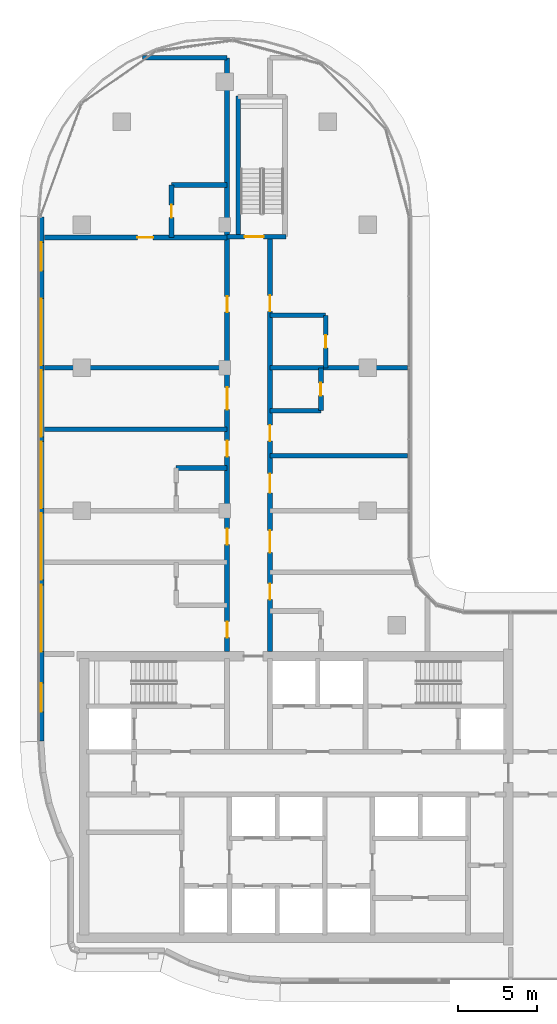
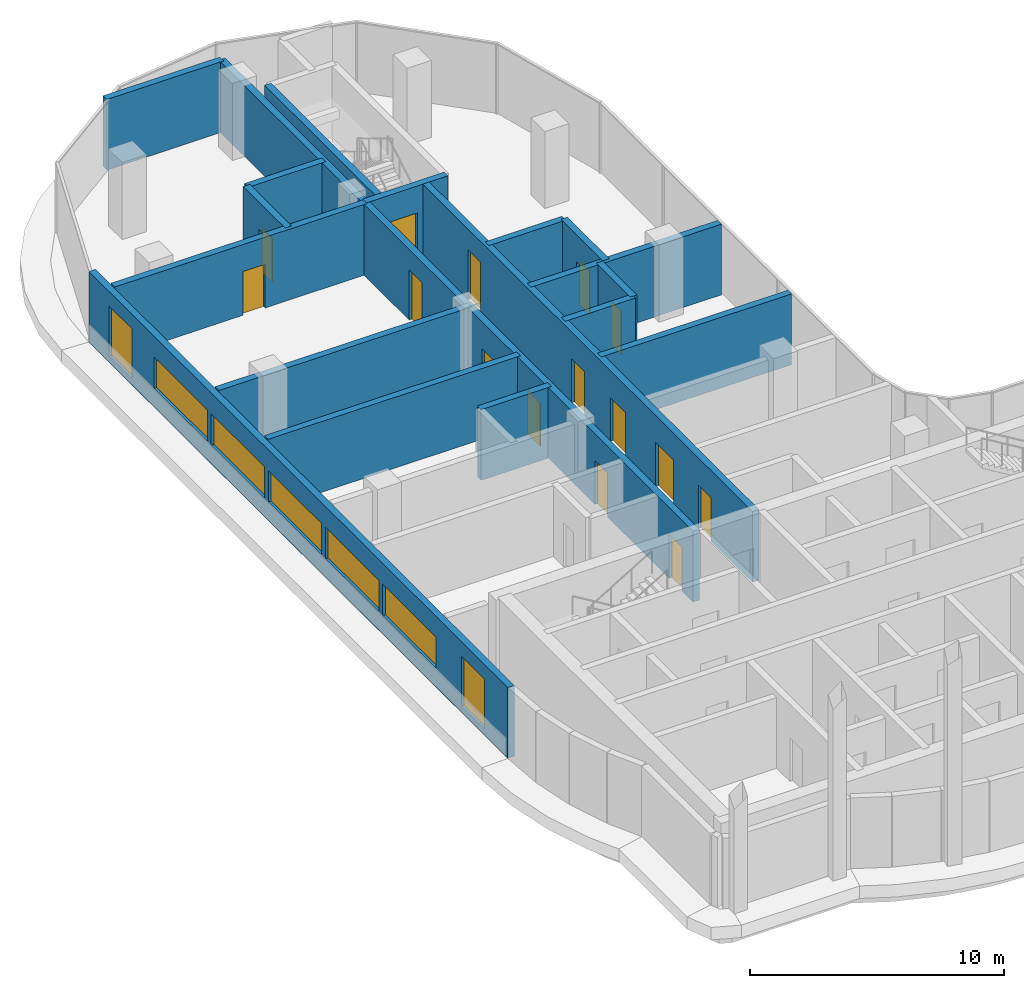
# One storey, part 13 of 23: 18 walls, 15 doors, 7 windows, 22 openings.
"""IFC4 building model written with IfcOpenShell, lengths in metres."""

from ifc_helpers import new_model, si_unit, direction, frame, frame_2d, origin, place, context, subcontext, project, spatial, rectangle, extrude, material, layer, layer_set, type_object, element, fill, save


model = new_model("IFC4")

# Units and contexts
model_context = context("Model", 3, precision=1e-05, world=origin(), true_north=direction((0.0, 1.0)))
body_context = subcontext(model_context, "Body", "Model", "MODEL_VIEW")
ifc_project = project(units=[si_unit("LENGTHUNIT", "METRE"), si_unit("AREAUNIT", "SQUARE_METRE"), si_unit("VOLUMEUNIT", "CUBIC_METRE"), si_unit("PLANEANGLEUNIT", "RADIAN"), si_unit("MASSUNIT", "GRAM", prefix="KILO")], contexts=[model_context])

# Site, building, storey
site_placement = place(None, origin())
site = spatial("IfcSite", under=ifc_project, at=site_placement, CompositionType="ELEMENT")
building_placement = place(site_placement, origin())
building = spatial("IfcBuilding", under=site, at=building_placement, Name="Ogive Portal Towers", CompositionType="ELEMENT")
storey_placement = place(building_placement, frame((0.0, 0.0, 179.199951171875)))
storey = spatial("IfcBuildingStorey", under=building, at=storey_placement, Name="L44", CompositionType="ELEMENT", Elevation=179.199951171875)

# Wall, openings, windows
ifc_material_1 = material(Name="Limestone cladding on lightweight block wall", Category="masonry")
ifc_layer_1 = layer(ifc_material_1, 0.300048828125)
ifc_layer_set_1 = layer_set([ifc_layer_1], Name="EXTERNAL WALL 300 STONE")
wall_type_1 = type_object("IfcWallType", Name="EXTERNAL WALL 300 STONE", PredefinedType="SOLIDWALL", material=ifc_layer_set_1)
wall_1_placement = place(storey_placement, frame((28.969970703125, 66.98583984375, 0.0), z_axis=(0.0, 0.0, 1.0), x_axis=(0.0, -1.0, 0.0)))
wall_1 = element("IfcWall", 1, at=wall_1_placement, inside=storey, type_object=wall_type_1, Name="A:L44:f21:r0:wall", PredefinedType="SOLIDWALL", context=body_context, shape_type="SweptSolid", body=[
    extrude(rectangle(XDim=32.97607421875, YDim=0.300048828125, at=frame_2d((16.488037109375, 0.0))), origin(), (0.0, 0.0, 1.0), 3.400146484375),
])
opening_1_placement = place(wall_1_placement, frame((1.593017578125, 0.0, 0.300048828125)))
opening_1 = element("IfcOpeningElement", 2, at=opening_1_placement, cuts=wall_1, Name="Opening WN10", PredefinedType="OPENING", context=body_context, shape_type="SweptSolid", body=[
    extrude(rectangle(XDim=1.800048828125, YDim=2.39990234375, at=frame_2d((0.89990234375, 1.199951171875))), frame((0.0, 0.16015625, 0.0), z_axis=(0.0, -1.0, 0.0), x_axis=(1.0, 0.0, 0.0)), (0.0, 0.0, 1.0), 0.320068359375),
])
opening_2_placement = place(wall_1_placement, frame((5.135986328125, 0.0, 0.89990234375)))
opening_2 = element("IfcOpeningElement", 3, at=opening_2_placement, cuts=wall_1, Name="Opening WN11", PredefinedType="OPENING", context=body_context, shape_type="SweptSolid", body=[
    extrude(rectangle(XDim=4.199951171875, YDim=1.5, at=frame_2d((2.10009765625, 0.75))), frame((0.0, 0.16015625, 0.0), z_axis=(0.0, -1.0, 0.0), x_axis=(1.0, 0.0, 0.0)), (0.0, 0.0, 1.0), 0.320068359375),
])
opening_3_placement = place(wall_1_placement, frame((9.635986328125, 0.0, 0.89990234375)))
opening_3 = element("IfcOpeningElement", 4, at=opening_3_placement, cuts=wall_1, Name="Opening WN11", PredefinedType="OPENING", context=body_context, shape_type="SweptSolid", body=[
    extrude(rectangle(XDim=4.199951171875, YDim=1.5, at=frame_2d((2.10009765625, 0.75))), frame((0.0, 0.16015625, 0.0), z_axis=(0.0, -1.0, 0.0), x_axis=(1.0, 0.0, 0.0)), (0.0, 0.0, 1.0), 0.320068359375),
])
opening_4_placement = place(wall_1_placement, frame((14.135986328125, 0.0, 0.89990234375)))
opening_4 = element("IfcOpeningElement", 5, at=opening_4_placement, cuts=wall_1, Name="Opening WN11", PredefinedType="OPENING", context=body_context, shape_type="SweptSolid", body=[
    extrude(rectangle(XDim=4.199951171875, YDim=1.5, at=frame_2d((2.10009765625, 0.75))), frame((0.0, 0.16015625, 0.0), z_axis=(0.0, -1.0, 0.0), x_axis=(1.0, 0.0, 0.0)), (0.0, 0.0, 1.0), 0.320068359375),
])
opening_5_placement = place(wall_1_placement, frame((18.635986328125, 0.0, 0.89990234375)))
opening_5 = element("IfcOpeningElement", 6, at=opening_5_placement, cuts=wall_1, Name="Opening WN11", PredefinedType="OPENING", context=body_context, shape_type="SweptSolid", body=[
    extrude(rectangle(XDim=4.199951171875, YDim=1.5, at=frame_2d((2.10009765625, 0.75))), frame((0.0, 0.16015625, 0.0), z_axis=(0.0, -1.0, 0.0), x_axis=(1.0, 0.0, 0.0)), (0.0, 0.0, 1.0), 0.320068359375),
])
opening_6_placement = place(wall_1_placement, frame((23.135986328125, 0.0, 0.89990234375)))
opening_6 = element("IfcOpeningElement", 7, at=opening_6_placement, cuts=wall_1, Name="Opening WN11", PredefinedType="OPENING", context=body_context, shape_type="SweptSolid", body=[
    extrude(rectangle(XDim=4.199951171875, YDim=1.5, at=frame_2d((2.10009765625, 0.75))), frame((0.0, 0.16015625, 0.0), z_axis=(0.0, -1.0, 0.0), x_axis=(1.0, 0.0, 0.0)), (0.0, 0.0, 1.0), 0.320068359375),
])
opening_7_placement = place(wall_1_placement, frame((29.3310546875, 0.0, 0.300048828125)))
opening_7 = element("IfcOpeningElement", 8, at=opening_7_placement, cuts=wall_1, Name="Opening WN10", PredefinedType="OPENING", context=body_context, shape_type="SweptSolid", body=[
    extrude(rectangle(XDim=1.800048828125, YDim=2.39990234375, at=frame_2d((0.89990234375, 1.199951171875))), frame((0.0, 0.16015625, 0.0), z_axis=(0.0, -1.0, 0.0), x_axis=(1.0, 0.0, 0.0)), (0.0, 0.0, 1.0), 0.320068359375),
])
ifc_material_2 = material(Name="Glass, clear low-iron insulated glazing", Category="glass")
window_type_1 = type_object("IfcWindowType", Name="WINDOW RIBBON 4200x1500", PartitioningType="TRIPLE_PANEL_VERTICAL", PredefinedType="WINDOW", material=ifc_material_2)
window_1_placement = place(opening_2_placement, origin())
window_1 = element("IfcWindow", 9, at=window_1_placement, inside=storey, type_object=window_type_1, Name="A:L44:f21:r0:w1", OverallHeight=1.5, OverallWidth=4.199951171875, PartitioningType="SINGLE_PANEL", PredefinedType="WINDOW", context=body_context, shape_type="SweptSolid", body=[
    extrude(rectangle(XDim=4.199951171875, YDim=1.5, at=frame_2d((2.10009765625, 0.75))), frame((0.0, 0.030029296875, 0.0), z_axis=(0.0, -1.0, 0.0), x_axis=(1.0, 0.0, 0.0)), (0.0, 0.0, 1.0), 0.06005859375),
])
fill(opening_2, window_1)
window_2_placement = place(opening_3_placement, origin())
window_2 = element("IfcWindow", 10, at=window_2_placement, inside=storey, type_object=window_type_1, Name="A:L44:f21:r0:w2", OverallHeight=1.5, OverallWidth=4.199951171875, PartitioningType="SINGLE_PANEL", PredefinedType="WINDOW", context=body_context, shape_type="SweptSolid", body=[
    extrude(rectangle(XDim=4.199951171875, YDim=1.5, at=frame_2d((2.10009765625, 0.75))), frame((0.0, 0.030029296875, 0.0), z_axis=(0.0, -1.0, 0.0), x_axis=(1.0, 0.0, 0.0)), (0.0, 0.0, 1.0), 0.06005859375),
])
fill(opening_3, window_2)
window_3_placement = place(opening_4_placement, origin())
window_3 = element("IfcWindow", 11, at=window_3_placement, inside=storey, type_object=window_type_1, Name="A:L44:f21:r0:w3", OverallHeight=1.5, OverallWidth=4.199951171875, PartitioningType="SINGLE_PANEL", PredefinedType="WINDOW", context=body_context, shape_type="SweptSolid", body=[
    extrude(rectangle(XDim=4.199951171875, YDim=1.5, at=frame_2d((2.10009765625, 0.75))), frame((0.0, 0.030029296875, 0.0), z_axis=(0.0, -1.0, 0.0), x_axis=(1.0, 0.0, 0.0)), (0.0, 0.0, 1.0), 0.06005859375),
])
fill(opening_4, window_3)
window_4_placement = place(opening_5_placement, origin())
window_4 = element("IfcWindow", 12, at=window_4_placement, inside=storey, type_object=window_type_1, Name="A:L44:f21:r0:w4", OverallHeight=1.5, OverallWidth=4.199951171875, PartitioningType="SINGLE_PANEL", PredefinedType="WINDOW", context=body_context, shape_type="SweptSolid", body=[
    extrude(rectangle(XDim=4.199951171875, YDim=1.5, at=frame_2d((2.10009765625, 0.75))), frame((0.0, 0.030029296875, 0.0), z_axis=(0.0, -1.0, 0.0), x_axis=(1.0, 0.0, 0.0)), (0.0, 0.0, 1.0), 0.06005859375),
])
fill(opening_5, window_4)
window_5_placement = place(opening_6_placement, origin())
window_5 = element("IfcWindow", 13, at=window_5_placement, inside=storey, type_object=window_type_1, Name="A:L44:f21:r0:w5", OverallHeight=1.5, OverallWidth=4.199951171875, PartitioningType="SINGLE_PANEL", PredefinedType="WINDOW", context=body_context, shape_type="SweptSolid", body=[
    extrude(rectangle(XDim=4.199951171875, YDim=1.5, at=frame_2d((2.10009765625, 0.75))), frame((0.0, 0.030029296875, 0.0), z_axis=(0.0, -1.0, 0.0), x_axis=(1.0, 0.0, 0.0)), (0.0, 0.0, 1.0), 0.06005859375),
])
fill(opening_6, window_5)
window_type_2 = type_object("IfcWindowType", Name="WINDOW SUITE CORNER 1800x2400", PartitioningType="DOUBLE_PANEL_VERTICAL", PredefinedType="WINDOW", material=ifc_material_2)
window_6_placement = place(opening_1_placement, origin())
window_6 = element("IfcWindow", 14, at=window_6_placement, inside=storey, type_object=window_type_2, Name="A:L44:f21:r0:w0", OverallHeight=2.39990234375, OverallWidth=1.800048828125, PartitioningType="SINGLE_PANEL", PredefinedType="WINDOW", context=body_context, shape_type="SweptSolid", body=[
    extrude(rectangle(XDim=1.800048828125, YDim=2.39990234375, at=frame_2d((0.89990234375, 1.199951171875))), frame((0.0, 0.030029296875, 0.0), z_axis=(0.0, -1.0, 0.0), x_axis=(1.0, 0.0, 0.0)), (0.0, 0.0, 1.0), 0.06005859375),
])
fill(opening_1, window_6)
window_7_placement = place(opening_7_placement, origin())
window_7 = element("IfcWindow", 15, at=window_7_placement, inside=storey, type_object=window_type_2, Name="A:L44:f21:r0:w6", OverallHeight=2.39990234375, OverallWidth=1.800048828125, PartitioningType="SINGLE_PANEL", PredefinedType="WINDOW", context=body_context, shape_type="SweptSolid", body=[
    extrude(rectangle(XDim=1.800048828125, YDim=2.39990234375, at=frame_2d((0.89990234375, 1.199951171875))), frame((0.0, 0.030029296875, 0.0), z_axis=(0.0, -1.0, 0.0), x_axis=(1.0, 0.0, 0.0)), (0.0, 0.0, 1.0), 0.06005859375),
])
fill(opening_7, window_7)

# Wall, opening, door
ifc_material_3 = material(Name="Concrete C50/60", Category="concrete")
ifc_layer_2 = layer(ifc_material_3, 0.300048828125)
ifc_layer_set_2 = layer_set([ifc_layer_2], Name="STAIR WALL 300 C50")
wall_type_2 = type_object("IfcWallType", Name="STAIR WALL 300 C50", PredefinedType="SHEAR", material=ifc_layer_set_2)
wall_2_placement = place(storey_placement, frame((40.64990234375, 65.75, 0.0), z_axis=(0.0, 0.0, 1.0), x_axis=(1.0, 0.0, 0.0)))
wall_2 = element("IfcWall", 16, at=wall_2_placement, inside=storey, type_object=wall_type_2, Name="Stair wall ST-A3 L44", PredefinedType="SHEAR", context=body_context, shape_type="SweptSolid", body=[
    extrude(rectangle(XDim=3.7001953125, YDim=0.300048828125, at=frame_2d((1.85009765625, 0.0))), origin(), (0.0, 0.0, 1.0), 3.400146484375),
])
opening_8_placement = place(wall_2_placement, frame((1.10009765625, 0.0, 0.0)))
opening_8 = element("IfcOpeningElement", 17, at=opening_8_placement, cuts=wall_2, Name="Opening D19-056", PredefinedType="OPENING", context=body_context, shape_type="SweptSolid", body=[
    extrude(rectangle(XDim=1.199951171875, YDim=2.10009765625, at=frame_2d((0.60009765625, 1.050048828125))), frame((0.0, 0.16015625, 0.0), z_axis=(0.0, -1.0, 0.0), x_axis=(1.0, 0.0, 0.0)), (0.0, 0.0, 1.0), 0.320068359375),
])
ifc_material_4 = material(Name="Steel fire door", Category="steel")
door_type_1 = type_object("IfcDoorType", Name="DT-STAIR-1200x2100-FD90S", OperationType="SINGLE_SWING_LEFT", PredefinedType="DOOR", material=ifc_material_4)
door_1_placement = place(opening_8_placement, origin())
door_1 = element("IfcDoor", 18, at=door_1_placement, inside=storey, type_object=door_type_1, Name="Door D19-056", OperationType="SINGLE_SWING_RIGHT", OverallHeight=2.10009765625, OverallWidth=1.199951171875, PredefinedType="DOOR", context=body_context, shape_type="SweptSolid", body=[
    extrude(rectangle(XDim=1.199951171875, YDim=2.10009765625, at=frame_2d((0.60009765625, 1.050048828125))), frame((0.0, 0.02490234375, 0.0), z_axis=(0.0, -1.0, 0.0), x_axis=(1.0, 0.0, 0.0)), (0.0, 0.0, 1.0), 0.050048828125),
])
fill(opening_8, door_1)

# Walls
wall_3_placement = place(storey_placement, frame((41.35009765625, 65.75, 0.0), z_axis=(0.0, 0.0, 1.0), x_axis=(0.0, 1.0, 0.0)))
element("IfcWall", 19, at=wall_3_placement, inside=storey, type_object=wall_type_2, Name="Stair wall ST-A3 L44", PredefinedType="SHEAR", context=body_context, shape_type="SweptSolid", body=[
    extrude(rectangle(XDim=8.85009765625, YDim=0.300048828125, at=frame_2d((4.425048828125, 0.0))), origin(), (0.0, 0.0, 1.0), 3.400146484375),
])
ifc_material_5 = material(Name="Gypsum board partition on steel studs", Category="steel")
ifc_layer_3 = layer(ifc_material_5, 0.300048828125)
ifc_layer_set_3 = layer_set([ifc_layer_3], Name="WT-PART-300-EI 60")
wall_type_3 = type_object("IfcWallType", Name="WT-PART-300-EI 60", PredefinedType="PARTITIONING", material=ifc_layer_set_3)
wall_4_placement = place(storey_placement, frame((37.449951171875, 51.199951171875, 0.0), z_axis=(0.0, 0.0, 1.0), x_axis=(1.0, 0.0, 0.0)))
element("IfcWall", 20, at=wall_4_placement, inside=storey, type_object=wall_type_3, Name="Wall L44:w018", PredefinedType="PARTITIONING", context=body_context, shape_type="SweptSolid", body=[
    extrude(rectangle(XDim=3.199951171875, YDim=0.300048828125, at=frame_2d((1.60009765625, 0.0))), origin(), (0.0, 0.0, 1.0), 3.400146484375),
])
wall_5_placement = place(storey_placement, frame((43.35009765625, 51.969970703125, 0.0), z_axis=(0.0, 0.0, 1.0), x_axis=(1.0, 0.0, 0.0)))
element("IfcWall", 21, at=wall_5_placement, inside=storey, type_object=wall_type_3, Name="Wall L44:w019", PredefinedType="PARTITIONING", context=body_context, shape_type="SweptSolid", body=[
    extrude(rectangle(XDim=8.659912109375, YDim=0.300048828125, at=frame_2d((4.330078125, 0.0))), origin(), (0.0, 0.0, 1.0), 3.400146484375),
])
wall_6_placement = place(storey_placement, frame((29.169921875, 53.6298828125, 0.0), z_axis=(0.0, 0.0, 1.0), x_axis=(1.0, 0.0, 0.0)))
element("IfcWall", 22, at=wall_6_placement, inside=storey, type_object=wall_type_3, Name="Wall L44:w020", PredefinedType="PARTITIONING", context=body_context, shape_type="SweptSolid", body=[
    extrude(rectangle(XDim=11.47998046875, YDim=0.300048828125, at=frame_2d((5.739990234375, 0.0))), origin(), (0.0, 0.0, 1.0), 3.400146484375),
])
wall_7_placement = place(storey_placement, frame((43.35009765625, 54.800048828125, 0.0), z_axis=(0.0, 0.0, 1.0), x_axis=(1.0, 0.0, 0.0)))
element("IfcWall", 23, at=wall_7_placement, inside=storey, type_object=wall_type_3, Name="Wall L44:w021", PredefinedType="PARTITIONING", context=body_context, shape_type="SweptSolid", body=[
    extrude(rectangle(XDim=3.199951171875, YDim=0.300048828125, at=frame_2d((1.60009765625, 0.0))), origin(), (0.0, 0.0, 1.0), 3.400146484375),
])
wall_8_placement = place(storey_placement, frame((29.169921875, 57.5, 0.0), z_axis=(0.0, 0.0, 1.0), x_axis=(1.0, 0.0, 0.0)))
element("IfcWall", 24, at=wall_8_placement, inside=storey, type_object=wall_type_3, Name="Wall L44:w022", PredefinedType="PARTITIONING", context=body_context, shape_type="SweptSolid", body=[
    extrude(rectangle(XDim=11.47998046875, YDim=0.300048828125, at=frame_2d((5.739990234375, 0.0))), origin(), (0.0, 0.0, 1.0), 3.400146484375),
])
wall_9_placement = place(storey_placement, frame((43.35009765625, 57.5, 0.0), z_axis=(0.0, 0.0, 1.0), x_axis=(1.0, 0.0, 0.0)))
element("IfcWall", 25, at=wall_9_placement, inside=storey, type_object=wall_type_3, Name="Wall L44:w023", PredefinedType="PARTITIONING", context=body_context, shape_type="SweptSolid", body=[
    extrude(rectangle(XDim=8.659912109375, YDim=0.300048828125, at=frame_2d((4.330078125, 0.0))), origin(), (0.0, 0.0, 1.0), 3.400146484375),
])
wall_10_placement = place(storey_placement, frame((43.35009765625, 60.800048828125, 0.0), z_axis=(0.0, 0.0, 1.0), x_axis=(1.0, 0.0, 0.0)))
element("IfcWall", 26, at=wall_10_placement, inside=storey, type_object=wall_type_3, Name="Wall L44:w024", PredefinedType="PARTITIONING", context=body_context, shape_type="SweptSolid", body=[
    extrude(rectangle(XDim=3.5, YDim=0.300048828125, at=frame_2d((1.75, 0.0))), origin(), (0.0, 0.0, 1.0), 3.400146484375),
])

# Wall, opening, door
wall_11_placement = place(storey_placement, frame((29.169921875, 65.699951171875, 0.0), z_axis=(0.0, 0.0, 1.0), x_axis=(1.0, 0.0, 0.0)))
wall_11 = element("IfcWall", 27, at=wall_11_placement, inside=storey, type_object=wall_type_3, Name="Wall L44:w025", PredefinedType="PARTITIONING", context=body_context, shape_type="SweptSolid", body=[
    extrude(rectangle(XDim=11.47998046875, YDim=0.300048828125, at=frame_2d((5.739990234375, 0.0))), origin(), (0.0, 0.0, 1.0), 3.400146484375),
])
opening_9_placement = place(wall_11_placement, frame((5.830078125, 0.0, 0.0)))
opening_9 = element("IfcOpeningElement", 28, at=opening_9_placement, cuts=wall_11, Name="Opening D19-050", PredefinedType="OPENING", context=body_context, shape_type="SweptSolid", body=[
    extrude(rectangle(XDim=1.0, YDim=2.10009765625, at=frame_2d((0.5, 1.050048828125))), frame((0.0, 0.16015625, 0.0), z_axis=(0.0, -1.0, 0.0), x_axis=(1.0, 0.0, 0.0)), (0.0, 0.0, 1.0), 0.320068359375),
])
door_type_2 = type_object("IfcDoorType", Name="DT-ENTRY-1000x2100-FD60S", OperationType="SINGLE_SWING_LEFT", PredefinedType="DOOR", material=ifc_material_4)
door_2_placement = place(opening_9_placement, origin())
door_2 = element("IfcDoor", 29, at=door_2_placement, inside=storey, type_object=door_type_2, Name="Door D19-050", OperationType="SINGLE_SWING_RIGHT", OverallHeight=2.10009765625, OverallWidth=1.0, PredefinedType="DOOR", context=body_context, shape_type="SweptSolid", body=[
    extrude(rectangle(XDim=1.0, YDim=2.10009765625, at=frame_2d((0.5, 1.050048828125))), frame((0.0, 0.02490234375, 0.0), z_axis=(0.0, -1.0, 0.0), x_axis=(1.0, 0.0, 0.0)), (0.0, 0.0, 1.0), 0.050048828125),
])
fill(opening_9, door_2)

# Walls
wall_12_placement = place(storey_placement, frame((37.14990234375, 69.0, 0.0), z_axis=(0.0, 0.0, 1.0), x_axis=(1.0, 0.0, 0.0)))
element("IfcWall", 30, at=wall_12_placement, inside=storey, type_object=wall_type_3, Name="Wall L44:w027", PredefinedType="PARTITIONING", context=body_context, shape_type="SweptSolid", body=[
    extrude(rectangle(XDim=3.5, YDim=0.300048828125, at=frame_2d((1.75, 0.0))), origin(), (0.0, 0.0, 1.0), 3.400146484375),
])
wall_13_placement = place(storey_placement, frame((35.337890625, 77.0, 0.0), z_axis=(0.0, 0.0, 1.0), x_axis=(1.0, 0.0, 0.0)))
element("IfcWall", 31, at=wall_13_placement, inside=storey, type_object=wall_type_3, Name="Wall L44:w029", PredefinedType="PARTITIONING", context=body_context, shape_type="SweptSolid", body=[
    extrude(rectangle(XDim=5.31201171875, YDim=0.300048828125, at=frame_2d((2.656005859375, 0.0))), origin(), (0.0, 0.0, 1.0), 3.400146484375),
])

# Wall, opening, door
wall_14_placement = place(storey_placement, frame((37.14990234375, 65.699951171875, 0.0), z_axis=(0.0, 0.0, 1.0), x_axis=(0.0, 1.0, 0.0)))
wall_14 = element("IfcWall", 32, at=wall_14_placement, inside=storey, type_object=wall_type_3, Name="Wall L44:w031", PredefinedType="PARTITIONING", context=body_context, shape_type="SweptSolid", body=[
    extrude(rectangle(XDim=3.300048828125, YDim=0.300048828125, at=frame_2d((1.64990234375, 0.0))), origin(), (0.0, 0.0, 1.0), 3.400146484375),
])
opening_10_placement = place(wall_14_placement, frame((1.25, 0.0, 0.0)))
opening_10 = element("IfcOpeningElement", 33, at=opening_10_placement, cuts=wall_14, Name="Opening D19-051", PredefinedType="OPENING", context=body_context, shape_type="SweptSolid", body=[
    extrude(rectangle(XDim=0.800048828125, YDim=2.10009765625, at=frame_2d((0.39990234375, 1.050048828125))), frame((0.0, 0.16015625, 0.0), z_axis=(0.0, -1.0, 0.0), x_axis=(1.0, 0.0, 0.0)), (0.0, 0.0, 1.0), 0.320068359375),
])
door_type_3 = type_object("IfcDoorType", Name="DT-BATH-800x2100-FD60S", OperationType="SINGLE_SWING_LEFT", PredefinedType="DOOR", material=ifc_material_4)
door_3_placement = place(opening_10_placement, origin())
door_3 = element("IfcDoor", 34, at=door_3_placement, inside=storey, type_object=door_type_3, Name="Door D19-051", OperationType="SINGLE_SWING_LEFT", OverallHeight=2.10009765625, OverallWidth=0.800048828125, PredefinedType="DOOR", context=body_context, shape_type="SweptSolid", body=[
    extrude(rectangle(XDim=0.800048828125, YDim=2.10009765625, at=frame_2d((0.39990234375, 1.050048828125))), frame((0.0, 0.02490234375, 0.0), z_axis=(0.0, -1.0, 0.0), x_axis=(1.0, 0.0, 0.0)), (0.0, 0.0, 1.0), 0.050048828125),
])
fill(opening_10, door_3)

# Wall, openings, doors
wall_15_placement = place(storey_placement, frame((40.64990234375, 39.64990234375, 0.0), z_axis=(0.0, 0.0, 1.0), x_axis=(0.0, 1.0, 0.0)))
wall_15 = element("IfcWall", 35, at=wall_15_placement, inside=storey, type_object=wall_type_3, Name="Wall L44:w034", PredefinedType="PARTITIONING", context=body_context, shape_type="SweptSolid", body=[
    extrude(rectangle(XDim=37.35009765625, YDim=0.300048828125, at=frame_2d((18.675048828125, 0.0))), origin(), (0.0, 0.0, 1.0), 3.400146484375),
])
opening_11_placement = place(wall_15_placement, frame((0.8798828125, 0.0, 0.0)))
opening_11 = element("IfcOpeningElement", 36, at=opening_11_placement, cuts=wall_15, Name="Opening D19-039", PredefinedType="OPENING", context=body_context, shape_type="SweptSolid", body=[
    extrude(rectangle(XDim=1.0, YDim=2.10009765625, at=frame_2d((0.5, 1.050048828125))), frame((0.0, 0.16015625, 0.0), z_axis=(0.0, -1.0, 0.0), x_axis=(1.0, 0.0, 0.0)), (0.0, 0.0, 1.0), 0.320068359375),
])
opening_12_placement = place(wall_15_placement, frame((6.72998046875, 0.0, 0.0)))
opening_12 = element("IfcOpeningElement", 37, at=opening_12_placement, cuts=wall_15, Name="Opening D19-040", PredefinedType="OPENING", context=body_context, shape_type="SweptSolid", body=[
    extrude(rectangle(XDim=1.0, YDim=2.10009765625, at=frame_2d((0.5, 1.050048828125))), frame((0.0, 0.16015625, 0.0), z_axis=(0.0, -1.0, 0.0), x_axis=(1.0, 0.0, 0.0)), (0.0, 0.0, 1.0), 0.320068359375),
])
opening_13_placement = place(wall_15_placement, frame((12.264892578125, 0.0, 0.0)))
opening_13 = element("IfcOpeningElement", 38, at=opening_13_placement, cuts=wall_15, Name="Opening D19-045", PredefinedType="OPENING", context=body_context, shape_type="SweptSolid", body=[
    extrude(rectangle(XDim=1.0, YDim=2.10009765625, at=frame_2d((0.5, 1.050048828125))), frame((0.0, 0.16015625, 0.0), z_axis=(0.0, -1.0, 0.0), x_axis=(1.0, 0.0, 0.0)), (0.0, 0.0, 1.0), 0.320068359375),
])
opening_14_placement = place(wall_15_placement, frame((15.215087890625, 0.0, 0.0)))
opening_14 = element("IfcOpeningElement", 39, at=opening_14_placement, cuts=wall_15, Name="Opening D19-046", PredefinedType="OPENING", context=body_context, shape_type="SweptSolid", body=[
    extrude(rectangle(XDim=1.39990234375, YDim=2.10009765625, at=frame_2d((0.699951171875, 1.050048828125))), frame((0.0, 0.16015625, 0.0), z_axis=(0.0, -1.0, 0.0), x_axis=(1.0, 0.0, 0.0)), (0.0, 0.0, 1.0), 0.320068359375),
])
opening_15_placement = place(wall_15_placement, frame((21.35009765625, 0.0, 0.0)))
opening_15 = element("IfcOpeningElement", 40, at=opening_15_placement, cuts=wall_15, Name="Opening D19-049", PredefinedType="OPENING", context=body_context, shape_type="SweptSolid", body=[
    extrude(rectangle(XDim=1.0, YDim=2.39990234375, at=frame_2d((0.5, 1.199951171875))), frame((0.0, 0.16015625, 0.0), z_axis=(0.0, -1.0, 0.0), x_axis=(1.0, 0.0, 0.0)), (0.0, 0.0, 1.0), 0.320068359375),
])
door_4_placement = place(opening_11_placement, origin())
door_4 = element("IfcDoor", 41, at=door_4_placement, inside=storey, type_object=door_type_2, Name="Door D19-039", OperationType="SINGLE_SWING_RIGHT", OverallHeight=2.10009765625, OverallWidth=1.0, PredefinedType="DOOR", context=body_context, shape_type="SweptSolid", body=[
    extrude(rectangle(XDim=1.0, YDim=2.10009765625, at=frame_2d((0.5, 1.050048828125))), frame((0.0, 0.02490234375, 0.0), z_axis=(0.0, -1.0, 0.0), x_axis=(1.0, 0.0, 0.0)), (0.0, 0.0, 1.0), 0.050048828125),
])
fill(opening_11, door_4)
door_5_placement = place(opening_12_placement, origin())
door_5 = element("IfcDoor", 42, at=door_5_placement, inside=storey, type_object=door_type_2, Name="Door D19-040", OperationType="SINGLE_SWING_LEFT", OverallHeight=2.10009765625, OverallWidth=1.0, PredefinedType="DOOR", context=body_context, shape_type="SweptSolid", body=[
    extrude(rectangle(XDim=1.0, YDim=2.10009765625, at=frame_2d((0.5, 1.050048828125))), frame((0.0, 0.02490234375, 0.0), z_axis=(0.0, -1.0, 0.0), x_axis=(1.0, 0.0, 0.0)), (0.0, 0.0, 1.0), 0.050048828125),
])
fill(opening_12, door_5)
door_6_placement = place(opening_13_placement, origin())
door_6 = element("IfcDoor", 43, at=door_6_placement, inside=storey, type_object=door_type_2, Name="Door D19-045", OperationType="SINGLE_SWING_RIGHT", OverallHeight=2.10009765625, OverallWidth=1.0, PredefinedType="DOOR", context=body_context, shape_type="SweptSolid", body=[
    extrude(rectangle(XDim=1.0, YDim=2.10009765625, at=frame_2d((0.5, 1.050048828125))), frame((0.0, 0.02490234375, 0.0), z_axis=(0.0, -1.0, 0.0), x_axis=(1.0, 0.0, 0.0)), (0.0, 0.0, 1.0), 0.050048828125),
])
fill(opening_13, door_6)
door_type_4 = type_object("IfcDoorType", Name="DT-ENTRY-1000x2400-FD60S", OperationType="SINGLE_SWING_LEFT", PredefinedType="DOOR", material=ifc_material_4)
door_7_placement = place(opening_15_placement, origin())
door_7 = element("IfcDoor", 44, at=door_7_placement, inside=storey, type_object=door_type_4, Name="Door D19-049", OperationType="SINGLE_SWING_LEFT", OverallHeight=2.39990234375, OverallWidth=1.0, PredefinedType="DOOR", context=body_context, shape_type="SweptSolid", body=[
    extrude(rectangle(XDim=1.0, YDim=2.39990234375, at=frame_2d((0.5, 1.199951171875))), frame((0.0, 0.02490234375, 0.0), z_axis=(0.0, -1.0, 0.0), x_axis=(1.0, 0.0, 0.0)), (0.0, 0.0, 1.0), 0.050048828125),
])
fill(opening_15, door_7)
door_type_5 = type_object("IfcDoorType", Name="DT-ENTRY-1400x2100-FD60S", OperationType="SINGLE_SWING_LEFT", PredefinedType="DOOR", material=ifc_material_4)
door_8_placement = place(opening_14_placement, origin())
door_8 = element("IfcDoor", 45, at=door_8_placement, inside=storey, type_object=door_type_5, Name="Door D19-046", OperationType="SINGLE_SWING_LEFT", OverallHeight=2.10009765625, OverallWidth=1.39990234375, PredefinedType="DOOR", context=body_context, shape_type="SweptSolid", body=[
    extrude(rectangle(XDim=1.39990234375, YDim=2.10009765625, at=frame_2d((0.699951171875, 1.050048828125))), frame((0.0, 0.02490234375, 0.0), z_axis=(0.0, -1.0, 0.0), x_axis=(1.0, 0.0, 0.0)), (0.0, 0.0, 1.0), 0.050048828125),
])
fill(opening_14, door_8)

# Wall, opening, door
wall_16_placement = place(storey_placement, frame((46.550048828125, 54.800048828125, 0.0), z_axis=(0.0, 0.0, 1.0), x_axis=(0.0, 1.0, 0.0)))
wall_16 = element("IfcWall", 46, at=wall_16_placement, inside=storey, type_object=wall_type_3, Name="Wall L44:w040", PredefinedType="PARTITIONING", context=body_context, shape_type="SweptSolid", body=[
    extrude(rectangle(XDim=2.699951171875, YDim=0.300048828125, at=frame_2d((1.35009765625, 0.0))), origin(), (0.0, 0.0, 1.0), 3.400146484375),
])
opening_16_placement = place(wall_16_placement, frame((0.949951171875, 0.0, 0.0)))
opening_16 = element("IfcOpeningElement", 47, at=opening_16_placement, cuts=wall_16, Name="Opening D19-042", PredefinedType="OPENING", context=body_context, shape_type="SweptSolid", body=[
    extrude(rectangle(XDim=0.800048828125, YDim=2.10009765625, at=frame_2d((0.39990234375, 1.050048828125))), frame((0.0, 0.16015625, 0.0), z_axis=(0.0, -1.0, 0.0), x_axis=(1.0, 0.0, 0.0)), (0.0, 0.0, 1.0), 0.320068359375),
])
door_9_placement = place(opening_16_placement, origin())
door_9 = element("IfcDoor", 48, at=door_9_placement, inside=storey, type_object=door_type_3, Name="Door D19-042", OperationType="SINGLE_SWING_LEFT", OverallHeight=2.10009765625, OverallWidth=0.800048828125, PredefinedType="DOOR", context=body_context, shape_type="SweptSolid", body=[
    extrude(rectangle(XDim=0.800048828125, YDim=2.10009765625, at=frame_2d((0.39990234375, 1.050048828125))), frame((0.0, 0.02490234375, 0.0), z_axis=(0.0, -1.0, 0.0), x_axis=(1.0, 0.0, 0.0)), (0.0, 0.0, 1.0), 0.050048828125),
])
fill(opening_16, door_9)

wall_17_placement = place(storey_placement, frame((46.85009765625, 57.5, 0.0), z_axis=(0.0, 0.0, 1.0), x_axis=(0.0, 1.0, 0.0)))
wall_17 = element("IfcWall", 49, at=wall_17_placement, inside=storey, type_object=wall_type_3, Name="Wall L44:w041", PredefinedType="PARTITIONING", context=body_context, shape_type="SweptSolid", body=[
    extrude(rectangle(XDim=3.300048828125, YDim=0.300048828125, at=frame_2d((1.64990234375, 0.0))), origin(), (0.0, 0.0, 1.0), 3.400146484375),
])
opening_17_placement = place(wall_17_placement, frame((1.25, 0.0, 0.0)))
opening_17 = element("IfcOpeningElement", 50, at=opening_17_placement, cuts=wall_17, Name="Opening D19-047", PredefinedType="OPENING", context=body_context, shape_type="SweptSolid", body=[
    extrude(rectangle(XDim=0.800048828125, YDim=2.10009765625, at=frame_2d((0.39990234375, 1.050048828125))), frame((0.0, 0.16015625, 0.0), z_axis=(0.0, -1.0, 0.0), x_axis=(1.0, 0.0, 0.0)), (0.0, 0.0, 1.0), 0.320068359375),
])
door_10_placement = place(opening_17_placement, origin())
door_10 = element("IfcDoor", 51, at=door_10_placement, inside=storey, type_object=door_type_3, Name="Door D19-047", OperationType="SINGLE_SWING_LEFT", OverallHeight=2.10009765625, OverallWidth=0.800048828125, PredefinedType="DOOR", context=body_context, shape_type="SweptSolid", body=[
    extrude(rectangle(XDim=0.800048828125, YDim=2.10009765625, at=frame_2d((0.39990234375, 1.050048828125))), frame((0.0, 0.02490234375, 0.0), z_axis=(0.0, -1.0, 0.0), x_axis=(1.0, 0.0, 0.0)), (0.0, 0.0, 1.0), 0.050048828125),
])
fill(opening_17, door_10)

# Wall, openings, doors
ifc_material_6 = material(Name="Concrete C40/50", Category="concrete")
ifc_layer_4 = layer(ifc_material_6, 0.300048828125)
ifc_layer_set_4 = layer_set([ifc_layer_4], Name="WT-SHAFT-300")
wall_type_4 = type_object("IfcWallType", Name="WT-SHAFT-300", PredefinedType="SOLIDWALL", material=ifc_layer_set_4)
wall_18_placement = place(storey_placement, frame((43.35009765625, 39.64990234375, 0.0), z_axis=(0.0, 0.0, 1.0), x_axis=(0.0, 1.0, 0.0)))
wall_18 = element("IfcWall", 52, at=wall_18_placement, inside=storey, type_object=wall_type_4, Name="Wall L44:w036", PredefinedType="SOLIDWALL", context=body_context, shape_type="SweptSolid", body=[
    extrude(rectangle(XDim=26.150146484375, YDim=0.300048828125, at=frame_2d((13.0751953125, 0.0))), origin(), (0.0, 0.0, 1.0), 3.400146484375),
])
opening_18_placement = place(wall_18_placement, frame((3.264892578125, 0.0, 0.0)))
opening_18 = element("IfcOpeningElement", 53, at=opening_18_placement, cuts=wall_18, Name="Opening D19-036", PredefinedType="OPENING", context=body_context, shape_type="SweptSolid", body=[
    extrude(rectangle(XDim=1.0, YDim=2.10009765625, at=frame_2d((0.5, 1.050048828125))), frame((0.0, 0.16015625, 0.0), z_axis=(0.0, -1.0, 0.0), x_axis=(1.0, 0.0, 0.0)), (0.0, 0.0, 1.0), 0.320068359375),
])
opening_19_placement = place(wall_18_placement, frame((6.215087890625, 0.0, 0.0)))
opening_19 = element("IfcOpeningElement", 54, at=opening_19_placement, cuts=wall_18, Name="Opening D19-037", PredefinedType="OPENING", context=body_context, shape_type="SweptSolid", body=[
    extrude(rectangle(XDim=1.39990234375, YDim=2.10009765625, at=frame_2d((0.699951171875, 1.050048828125))), frame((0.0, 0.16015625, 0.0), z_axis=(0.0, -1.0, 0.0), x_axis=(1.0, 0.0, 0.0)), (0.0, 0.0, 1.0), 0.320068359375),
])
opening_20_placement = place(wall_18_placement, frame((9.985107421875, 0.0, 0.0)))
opening_20 = element("IfcOpeningElement", 55, at=opening_20_placement, cuts=wall_18, Name="Opening D19-041", PredefinedType="OPENING", context=body_context, shape_type="SweptSolid", body=[
    extrude(rectangle(XDim=1.199951171875, YDim=2.10009765625, at=frame_2d((0.60009765625, 1.050048828125))), frame((0.0, 0.16015625, 0.0), z_axis=(0.0, -1.0, 0.0), x_axis=(1.0, 0.0, 0.0)), (0.0, 0.0, 1.0), 0.320068359375),
])
opening_21_placement = place(wall_18_placement, frame((13.235107421875, 0.0, 0.0)))
opening_21 = element("IfcOpeningElement", 56, at=opening_21_placement, cuts=wall_18, Name="Opening D19-043", PredefinedType="OPENING", context=body_context, shape_type="SweptSolid", body=[
    extrude(rectangle(XDim=1.0, YDim=2.10009765625, at=frame_2d((0.5, 1.050048828125))), frame((0.0, 0.16015625, 0.0), z_axis=(0.0, -1.0, 0.0), x_axis=(1.0, 0.0, 0.0)), (0.0, 0.0, 1.0), 0.320068359375),
])
opening_22_placement = place(wall_18_placement, frame((21.39990234375, 0.0, 0.0)))
opening_22 = element("IfcOpeningElement", 57, at=opening_22_placement, cuts=wall_18, Name="Opening D19-048", PredefinedType="OPENING", context=body_context, shape_type="SweptSolid", body=[
    extrude(rectangle(XDim=1.0, YDim=2.39990234375, at=frame_2d((0.5, 1.199951171875))), frame((0.0, 0.16015625, 0.0), z_axis=(0.0, -1.0, 0.0), x_axis=(1.0, 0.0, 0.0)), (0.0, 0.0, 1.0), 0.320068359375),
])
door_type_6 = type_object("IfcDoorType", Name="DT-ENTRY-1000x2100-FD90S", OperationType="SINGLE_SWING_LEFT", PredefinedType="DOOR", material=ifc_material_4)
door_11_placement = place(opening_18_placement, origin())
door_11 = element("IfcDoor", 58, at=door_11_placement, inside=storey, type_object=door_type_6, Name="Door D19-036", OperationType="SINGLE_SWING_RIGHT", OverallHeight=2.10009765625, OverallWidth=1.0, PredefinedType="DOOR", context=body_context, shape_type="SweptSolid", body=[
    extrude(rectangle(XDim=1.0, YDim=2.10009765625, at=frame_2d((0.5, 1.050048828125))), frame((0.0, 0.02490234375, 0.0), z_axis=(0.0, -1.0, 0.0), x_axis=(1.0, 0.0, 0.0)), (0.0, 0.0, 1.0), 0.050048828125),
])
fill(opening_18, door_11)
door_12_placement = place(opening_21_placement, origin())
door_12 = element("IfcDoor", 59, at=door_12_placement, inside=storey, type_object=door_type_6, Name="Door D19-043", OperationType="SINGLE_SWING_LEFT", OverallHeight=2.10009765625, OverallWidth=1.0, PredefinedType="DOOR", context=body_context, shape_type="SweptSolid", body=[
    extrude(rectangle(XDim=1.0, YDim=2.10009765625, at=frame_2d((0.5, 1.050048828125))), frame((0.0, 0.02490234375, 0.0), z_axis=(0.0, -1.0, 0.0), x_axis=(1.0, 0.0, 0.0)), (0.0, 0.0, 1.0), 0.050048828125),
])
fill(opening_21, door_12)
door_type_7 = type_object("IfcDoorType", Name="DT-ENTRY-1000x2400-FD90S", OperationType="SINGLE_SWING_LEFT", PredefinedType="DOOR", material=ifc_material_4)
door_13_placement = place(opening_22_placement, origin())
door_13 = element("IfcDoor", 60, at=door_13_placement, inside=storey, type_object=door_type_7, Name="Door D19-048", OperationType="SINGLE_SWING_RIGHT", OverallHeight=2.39990234375, OverallWidth=1.0, PredefinedType="DOOR", context=body_context, shape_type="SweptSolid", body=[
    extrude(rectangle(XDim=1.0, YDim=2.39990234375, at=frame_2d((0.5, 1.199951171875))), frame((0.0, 0.02490234375, 0.0), z_axis=(0.0, -1.0, 0.0), x_axis=(1.0, 0.0, 0.0)), (0.0, 0.0, 1.0), 0.050048828125),
])
fill(opening_22, door_13)
door_type_8 = type_object("IfcDoorType", Name="DT-ENTRY-1200x2100-FD90S", OperationType="SINGLE_SWING_LEFT", PredefinedType="DOOR", material=ifc_material_4)
door_14_placement = place(opening_20_placement, origin())
door_14 = element("IfcDoor", 61, at=door_14_placement, inside=storey, type_object=door_type_8, Name="Door D19-041", OperationType="SINGLE_SWING_RIGHT", OverallHeight=2.10009765625, OverallWidth=1.199951171875, PredefinedType="DOOR", context=body_context, shape_type="SweptSolid", body=[
    extrude(rectangle(XDim=1.199951171875, YDim=2.10009765625, at=frame_2d((0.60009765625, 1.050048828125))), frame((0.0, 0.02490234375, 0.0), z_axis=(0.0, -1.0, 0.0), x_axis=(1.0, 0.0, 0.0)), (0.0, 0.0, 1.0), 0.050048828125),
])
fill(opening_20, door_14)
door_type_9 = type_object("IfcDoorType", Name="DT-ENTRY-1400x2100-FD90S", OperationType="SINGLE_SWING_LEFT", PredefinedType="DOOR", material=ifc_material_4)
door_15_placement = place(opening_19_placement, origin())
door_15 = element("IfcDoor", 62, at=door_15_placement, inside=storey, type_object=door_type_9, Name="Door D19-037", OperationType="SINGLE_SWING_LEFT", OverallHeight=2.10009765625, OverallWidth=1.39990234375, PredefinedType="DOOR", context=body_context, shape_type="SweptSolid", body=[
    extrude(rectangle(XDim=1.39990234375, YDim=2.10009765625, at=frame_2d((0.699951171875, 1.050048828125))), frame((0.0, 0.02490234375, 0.0), z_axis=(0.0, -1.0, 0.0), x_axis=(1.0, 0.0, 0.0)), (0.0, 0.0, 1.0), 0.050048828125),
])
fill(opening_19, door_15)

save(model, "model.ifc")
